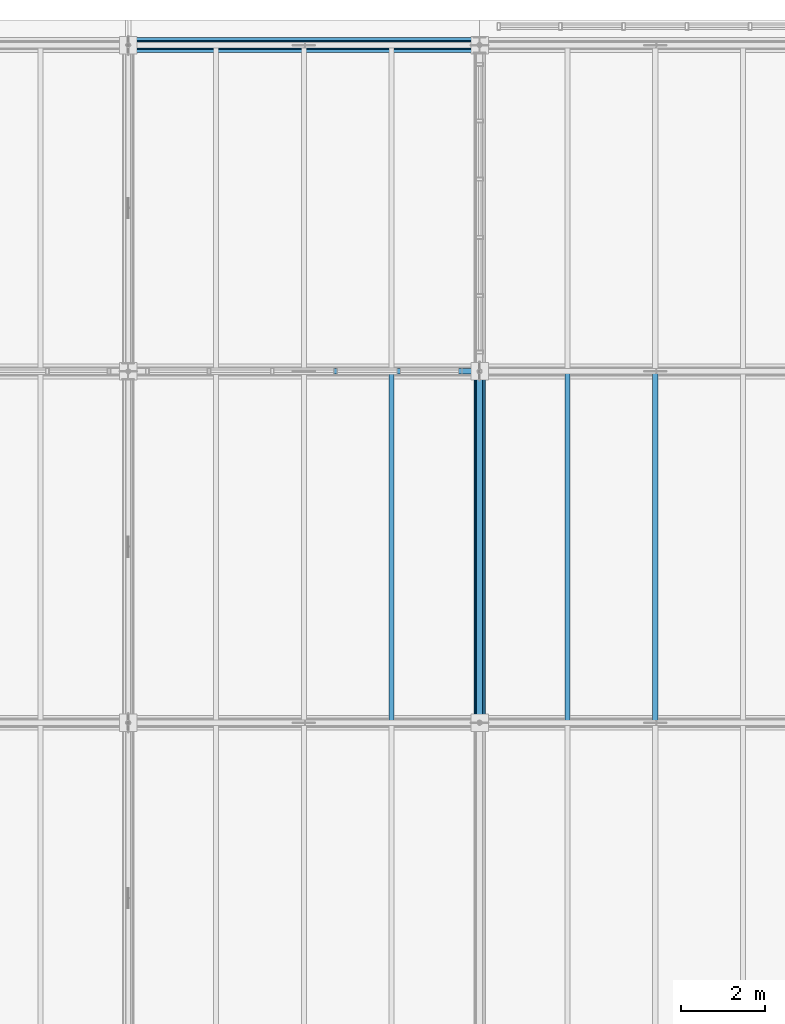
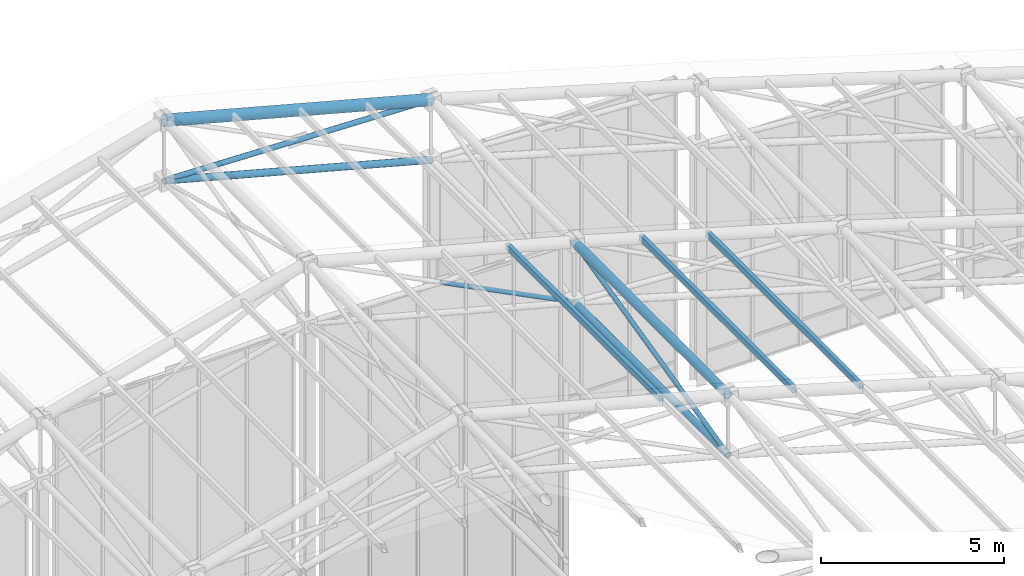
# One storey, part 76 of 144: 10 members.
"""IFC4 building model written with IfcOpenShell, lengths in metres."""

import ifcopenshell
import ifcopenshell.guid

model = None  # the IFC model being written
_history = None  # IfcOwnerHistory: only IFC2X3 demands one
_inside = {}  # id of a spatial element -> (the spatial element, [elements in it])
_under = {}  # id of a project, library or spatial element -> (it, [spatial elements below it])
_declared = {}  # id of a project -> (the project, [libraries it declares])
_typed = {}  # id of a type object -> (the type object, [elements of that type])
_made_of = {}  # id of a material, layer set ... -> (it, [elements and type objects made of it])


def new_model(schema):
    """Start an empty IFC model of exactly this schema.

    Asked for "IFC4X3", IfcOpenShell would pick the latest addendum, in which some entities
    have other attributes; the version numbers below select the first issue.
    IFC2X3 requires an IfcOwnerHistory on every rooted entity: one is made here for all.
    """
    global model, _history
    if schema == "IFC4X3":
        model = ifcopenshell.file(schema_version=(4, 3, 0, 0))
    else:
        model = ifcopenshell.file(schema=schema)
    _inside.clear()
    _under.clear()
    _declared.clear()
    _typed.clear()
    _made_of.clear()
    _history = None
    if model.schema == "IFC2X3":
        org = make("IfcOrganization", Name="unknown")
        user = make(
            "IfcPersonAndOrganization",
            ThePerson=make("IfcPerson", FamilyName="unknown"),
            TheOrganization=org,
        )
        app = make(
            "IfcApplication",
            ApplicationDeveloper=org,
            Version="unknown",
            ApplicationFullName="unknown",
            ApplicationIdentifier="unknown",
        )
        _history = make(
            "IfcOwnerHistory",
            OwningUser=user,
            OwningApplication=app,
            ChangeAction="ADDED",
            CreationDate=0,
        )
    return model


def make(cls, **values):
    """One entity of the class cls with the attributes given. An attribute that is None is left unset."""
    return model.create_entity(
        cls, **{name: value for name, value in values.items() if value is not None}
    )


def rooted(cls, **values):
    """An entity with a GlobalId (a new one), such as an element, a storey or a relation."""
    return make(cls, GlobalId=ifcopenshell.guid.new(), OwnerHistory=_history, **values)


def si_unit(unit_type, name, prefix=None):
    """IfcSIUnit, for example si_unit("LENGTHUNIT", "METRE", prefix="MILLI")."""
    return make("IfcSIUnit", UnitType=unit_type, Prefix=prefix, Name=name)


def assignment(units):
    """IfcUnitAssignment: the units of a project."""
    return None if units is None else make("IfcUnitAssignment", Units=units)


def point(xyz):
    """IfcCartesianPoint."""
    return None if xyz is None else make("IfcCartesianPoint", Coordinates=xyz)


def direction(xyz):
    """IfcDirection."""
    return None if xyz is None else make("IfcDirection", DirectionRatios=xyz)


def frame(location, z_axis=None, x_axis=None):
    """IfcAxis2Placement3D, a coordinate frame: its origin and axes. An axis left out is left unset."""
    return make(
        "IfcAxis2Placement3D",
        Location=point(location),
        Axis=direction(z_axis),
        RefDirection=direction(x_axis),
    )


def frame_2d(location, x_axis=None):
    """IfcAxis2Placement2D, a coordinate frame in the plane: its origin and x axis."""
    return make(
        "IfcAxis2Placement2D", Location=point(location), RefDirection=direction(x_axis)
    )


def origin():
    """The frame at (0, 0, 0) with its axes left unset."""
    return frame((0.0, 0.0, 0.0))


def origin_2d():
    """The frame at (0, 0) in the plane with its x axis left unset."""
    return frame_2d((0.0, 0.0))


def place(relative_to, where):
    """IfcLocalPlacement: puts the frame where relative to a parent placement (None: the world)."""
    return make(
        "IfcLocalPlacement", PlacementRelTo=relative_to, RelativePlacement=where
    )


def context(
    kind, dimensions, precision=None, world=None, true_north=None, identifier=None
):
    """IfcGeometricRepresentationContext, for example the 3D "Model" context."""
    return make(
        "IfcGeometricRepresentationContext",
        ContextIdentifier=identifier,
        ContextType=kind,
        CoordinateSpaceDimension=dimensions,
        Precision=precision,
        WorldCoordinateSystem=world,
        TrueNorth=true_north,
    )


def subcontext(parent, identifier, kind, view, scale=None):
    """IfcGeometricRepresentationSubContext, for example "Body" below "Model"."""
    return make(
        "IfcGeometricRepresentationSubContext",
        ContextIdentifier=identifier,
        ContextType=kind,
        ParentContext=parent,
        TargetScale=scale,
        TargetView=view,
    )


def project(units=None, contexts=None):
    """IfcProject with its units and contexts."""
    return rooted(
        "IfcProject",
        Name="project",
        RepresentationContexts=contexts,
        UnitsInContext=assignment(units),
    )


def spatial(cls, under=None, at=None, **own):
    """A site, building, storey or space (cls), placed at a placement, below another one or the project."""
    s = rooted(cls, ObjectPlacement=at, **own)
    if under is not None:
        _under.setdefault(under.id(), (under, []))[1].append(s)
    return s


def profile(cls, at=None, kind="AREA", **sizes):
    """A parametric profile (cls). Its sizes go by their IFC names, for example OverallWidth=200.0."""
    return make(cls, ProfileType=kind, Position=at, **sizes)


def hollow_rectangle(**sizes):
    """IfcRectangleHollowProfileDef."""
    return profile("IfcRectangleHollowProfileDef", **sizes)


def hollow_circle(**sizes):
    """IfcCircleHollowProfileDef."""
    return profile("IfcCircleHollowProfileDef", **sizes)


def extrude(swept, where, along, depth):
    """IfcExtrudedAreaSolid: the profile swept, set in the frame where, extruded along a direction by depth."""
    return make(
        "IfcExtrudedAreaSolid",
        SweptArea=swept,
        Position=where,
        ExtrudedDirection=direction(along),
        Depth=depth,
    )


def shape(context_of_items, identifier, shape_type, items):
    """IfcShapeRepresentation: the items that make up one representation, for example the "Body"."""
    return make(
        "IfcShapeRepresentation",
        ContextOfItems=context_of_items,
        RepresentationIdentifier=identifier,
        RepresentationType=shape_type,
        Items=items,
    )


def material(Name=None, Category=None):
    """IfcMaterial."""
    return make("IfcMaterial", Name=Name, Category=Category)


def material_profile(
    of_material, cross_section, Name=None, Category=None, Priority=None
):
    """IfcMaterialProfile: a cross section and its material."""
    return make(
        "IfcMaterialProfile",
        Name=Name,
        Material=of_material,
        Profile=cross_section,
        Priority=Priority,
        Category=Category,
    )


def profile_set(profiles, Name=None, composite=None):
    """IfcMaterialProfileSet."""
    return make(
        "IfcMaterialProfileSet",
        Name=Name,
        MaterialProfiles=profiles,
        CompositeProfile=composite,
    )


def made_of(thing, what):
    """Note that an element or type object is made of a material, layer set ...; save() writes the relation."""
    if what is not None:
        _made_of.setdefault(what.id(), (what, []))[1].append(thing)
    return thing


def type_object(cls, material=None, **own):
    """A type object (cls), such as IfcWallType, which elements share."""
    return made_of(rooted(cls, **own), material)


def element(
    cls,
    number,
    at=None,
    inside=None,
    cuts=None,
    type_object=None,
    material=None,
    context=None,
    identifier="Body",
    shape_type=None,
    held_by="IfcProductDefinitionShape",
    body=None,
    shapes=None,
    **own,
):
    """One element of the class cls, such as IfcWall. Its Tag is "e" and its number.

    at: its placement. inside: the storey or other place that contains it. cuts: it is an
    opening in that element (IfcRelVoidsElement). A single representation is given by context,
    identifier, shape_type and body (its items); several are given by shapes. held_by: the class
    of the entity that holds the representations. save() writes the other relations.
    """
    e = rooted(cls, Tag="e%d" % number, ObjectPlacement=at, **own)
    if body is not None:
        shapes = [shape(context, identifier, shape_type, body)]
    if shapes is not None:
        e.Representation = make(held_by, Representations=shapes)
    if inside is not None:
        _inside.setdefault(inside.id(), (inside, []))[1].append(e)
    if cuts is not None:
        rooted(
            "IfcRelVoidsElement", RelatingBuildingElement=cuts, RelatedOpeningElement=e
        )
    if type_object is not None:
        _typed.setdefault(type_object.id(), (type_object, []))[1].append(e)
    return made_of(e, material)


def aggregate(whole, parts):
    """IfcRelAggregates: a whole, such as a stair, and the parts it consists of."""
    return rooted("IfcRelAggregates", RelatingObject=whole, RelatedObjects=parts)


def save(model, path):
    """Write the relations noted so far, then the file.

    IfcRelAggregates (storeys below a building ...), IfcRelContainedInSpatialStructure (elements
    in a storey), IfcRelDefinesByType, IfcRelAssociatesMaterial and IfcRelDeclares: one each for
    every whole, place, type object, material and project.
    """
    for whole, parts in _under.values():
        aggregate(whole, parts)
    for where, things in _inside.values():
        rooted(
            "IfcRelContainedInSpatialStructure",
            RelatedElements=things,
            RelatingStructure=where,
        )
    for kind, things in _typed.values():
        rooted("IfcRelDefinesByType", RelatedObjects=things, RelatingType=kind)
    for what, things in _made_of.values():
        rooted("IfcRelAssociatesMaterial", RelatedObjects=things, RelatingMaterial=what)
    for by, libraries in _declared.values():
        rooted("IfcRelDeclares", RelatingContext=by, RelatedDefinitions=libraries)
    model.write(path)


model = new_model("IFC4")

# Units and contexts
model_context = context("Model", 3, precision=1e-05, world=origin(), true_north=direction((0.0, 1.0)))
body_context = subcontext(model_context, "Body", "Model", "MODEL_VIEW")
ifc_project = project(units=[si_unit("LENGTHUNIT", "METRE"), si_unit("AREAUNIT", "SQUARE_METRE"), si_unit("VOLUMEUNIT", "CUBIC_METRE"), si_unit("PLANEANGLEUNIT", "RADIAN"), si_unit("MASSUNIT", "GRAM", prefix="KILO")], contexts=[model_context])

# Site, building, storey
site_placement = place(None, origin())
site = spatial("IfcSite", under=ifc_project, at=site_placement, CompositionType="ELEMENT")
building_placement = place(site_placement, origin())
building = spatial("IfcBuilding", under=site, at=building_placement, Name="Zayran Congress Hotel", CompositionType="ELEMENT")
storey_placement = place(building_placement, frame((0.0, 0.0, 19.199951171875)))
storey = spatial("IfcBuildingStorey", under=building, at=storey_placement, Name="L04", CompositionType="ELEMENT", Elevation=19.199951171875)

# Members
ifc_material = material(Name="Steel S355", Category="steel")
ifc_material_profile_1 = material_profile(ifc_material, hollow_circle(Radius=0.177734375, WallThickness=0.01611328125, at=origin_2d()), Name="CHS 355.6x16")
ifc_profile_set_1 = profile_set([ifc_material_profile_1], Name="Steel S355")
member_type_1 = type_object("IfcMemberType", Name="TP-SF-TC1", PredefinedType="CHORD", material=ifc_profile_set_1)
member_1_placement = place(storey_placement, frame((50.39990234375, 117.39990234375, 14.60205078125), z_axis=(0.96594917914, 0.0, -0.258731875344), x_axis=(0.0, 1.0, 0.0)))
element("IfcMember", 1, at=member_1_placement, inside=storey, type_object=member_type_1, Name="Space Frame Top Chord X 326", PredefinedType="CHORD", context=body_context, shape_type="SweptSolid", body=[
    extrude(hollow_circle(Radius=0.177734375, WallThickness=0.01611328125, at=origin_2d()), origin(), (0.0, 0.0, 1.0), 8.6962890625),
])
ifc_material_profile_2 = material_profile(ifc_material, hollow_circle(Radius=0.136474609375, WallThickness=0.012451171875, at=origin_2d()), Name="CHS 273x12.5")
ifc_profile_set_2 = profile_set([ifc_material_profile_2], Name="Steel S355")
member_type_2 = type_object("IfcMemberType", Name="TP-SF-TC2", PredefinedType="CHORD", material=ifc_profile_set_2)
member_2_placement = place(storey_placement, frame((58.800048828125, 101.199951171875, 12.35205078125), z_axis=(0.0, 1.0, 0.0), x_axis=(-1.0, 0.0, 0.0)))
element("IfcMember", 2, at=member_2_placement, inside=storey, type_object=member_type_2, Name="Space Frame Top Chord Y 367", PredefinedType="CHORD", context=body_context, shape_type="SweptSolid", body=[
    extrude(hollow_circle(Radius=0.136474609375, WallThickness=0.012451171875, at=origin_2d()), origin(), (0.0, 0.0, 1.0), 8.400146484375),
])
ifc_material_profile_3 = material_profile(ifc_material, hollow_circle(Radius=0.109619140625, WallThickness=0.010009765625, at=origin_2d()), Name="CHS 219.1x10")
ifc_profile_set_3 = profile_set([ifc_material_profile_3], Name="Steel S355")
member_type_3 = type_object("IfcMemberType", Name="TP-SF-BC1", PredefinedType="CHORD", material=ifc_profile_set_3)
member_3_placement = place(storey_placement, frame((50.39990234375, 117.39990234375, 12.60009765625), z_axis=(0.96594917914, 0.0, -0.258731875344), x_axis=(0.0, 1.0, 0.0)))
element("IfcMember", 3, at=member_3_placement, inside=storey, type_object=member_type_3, Name="Space Frame Bottom Chord X 327", PredefinedType="CHORD", context=body_context, shape_type="SweptSolid", body=[
    extrude(hollow_circle(Radius=0.109619140625, WallThickness=0.010009765625, at=origin_2d()), origin(), (0.0, 0.0, 1.0), 8.6962890625),
])
member_4_placement = place(storey_placement, frame((58.800048828125, 101.199951171875, 10.35009765625), z_axis=(0.0, 1.0, 0.0), x_axis=(-1.0, 0.0, 0.0)))
element("IfcMember", 4, at=member_4_placement, inside=storey, type_object=member_type_3, Name="Space Frame Bottom Chord Y 368", PredefinedType="CHORD", context=body_context, shape_type="SweptSolid", body=[
    extrude(hollow_circle(Radius=0.109619140625, WallThickness=0.010009765625, at=origin_2d()), origin(), (0.0, 0.0, 1.0), 8.400146484375),
])
ifc_material_profile_4 = material_profile(ifc_material, hollow_circle(Radius=0.084228515625, WallThickness=0.008056640625, at=origin_2d()), Name="CHS 168.3x8")
ifc_profile_set_4 = profile_set([ifc_material_profile_4], Name="Steel S355")
member_type_4 = type_object("IfcMemberType", Name="TP-SF-DG1", PredefinedType="BRACE", material=ifc_profile_set_4)
member_5_placement = place(storey_placement, frame((50.39990234375, 117.39990234375, 12.60009765625), z_axis=(0.99956430768, 0.0, -0.029516009434), x_axis=(0.0, 1.0, 0.0)))
element("IfcMember", 5, at=member_5_placement, inside=storey, type_object=member_type_4, Name="Space Frame Web Diagonal X 328", PredefinedType="BRACE", context=body_context, shape_type="SweptSolid", body=[
    extrude(hollow_circle(Radius=0.084228515625, WallThickness=0.008056640625, at=origin_2d()), origin(), (0.0, 0.0, 1.0), 8.40380859375),
])
ifc_material_profile_5 = material_profile(ifc_material, hollow_circle(Radius=0.06982421875, WallThickness=0.00634765625, at=origin_2d()), Name="CHS 139.7x6.3")
ifc_profile_set_5 = profile_set([ifc_material_profile_5], Name="Steel S355")
member_type_5 = type_object("IfcMemberType", Name="TP-SF-DG2", PredefinedType="BRACE", material=ifc_profile_set_5)
member_6_placement = place(storey_placement, frame((54.61328125, 109.60009765625, 12.46923828125), z_axis=(0.892220848392, 0.0, -0.451599333142), x_axis=(0.0, 1.0, 0.0)))
element("IfcMember", 6, at=member_6_placement, inside=storey, type_object=member_type_5, Name="Space Frame Counter Diagonal X Lower 52", PredefinedType="BRACE", context=body_context, shape_type="SweptSolid", body=[
    extrude(hollow_circle(Radius=0.06982421875, WallThickness=0.00634765625, at=origin_2d()), origin(), (0.0, 0.0, 1.0), 4.692626953125),
])
member_7_placement = place(storey_placement, frame((58.800048828125, 101.199951171875, 10.35009765625), z_axis=(0.0, 0.972756139537, 0.231830742122), x_axis=(-1.0, 0.0, 0.0)))
element("IfcMember", 7, at=member_7_placement, inside=storey, type_object=member_type_5, Name="Space Frame Web Diagonal Y 369", PredefinedType="BRACE", context=body_context, shape_type="SweptSolid", body=[
    extrude(hollow_circle(Radius=0.06982421875, WallThickness=0.00634765625, at=origin_2d()), origin(), (0.0, 0.0, 1.0), 8.635498046875),
])
ifc_material_profile_6 = material_profile(ifc_material, hollow_rectangle(XDim=0.1201171875, YDim=0.199951171875, WallThickness=0.008056640625, at=origin_2d()), Name="RHS 200x120x8")
ifc_profile_set_6 = profile_set([ifc_material_profile_6], Name="Steel S355")
member_type_6 = type_object("IfcMemberType", Name="TP-PR-01", PredefinedType="PURLIN", material=ifc_profile_set_6)
for number, where, z_axis, x_axis, name in (
    (8, (56.699951171875, 101.199951171875, 12.95654296875), (0.0, 1.0, 0.0), (-1.0, 0.0, 0.0), "MEM-PR-V1-0107"),
    (9, (60.89990234375, 101.199951171875, 11.781494140625), (0.0, 1.0, 0.0), (-1.0, 0.0, 0.0), "MEM-PR-V1-0113"),
    (10, (63.0, 101.199951171875, 11.1689453125), (0.0, 1.0, 0.0), (-1.0, 0.0, 0.0), "MEM-PR-V1-0119"),
):
    element("IfcMember", number, at=place(storey_placement, frame(where, z_axis=z_axis, x_axis=x_axis)), inside=storey, type_object=member_type_6, Name=name, PredefinedType="PURLIN", context=body_context, shape_type="SweptSolid", body=[
        extrude(hollow_rectangle(XDim=0.1201171875, YDim=0.199951171875, WallThickness=0.008056640625, at=origin_2d()), origin(), (0.0, 0.0, 1.0), 8.400146484375),
    ])

save(model, "model.ifc")
